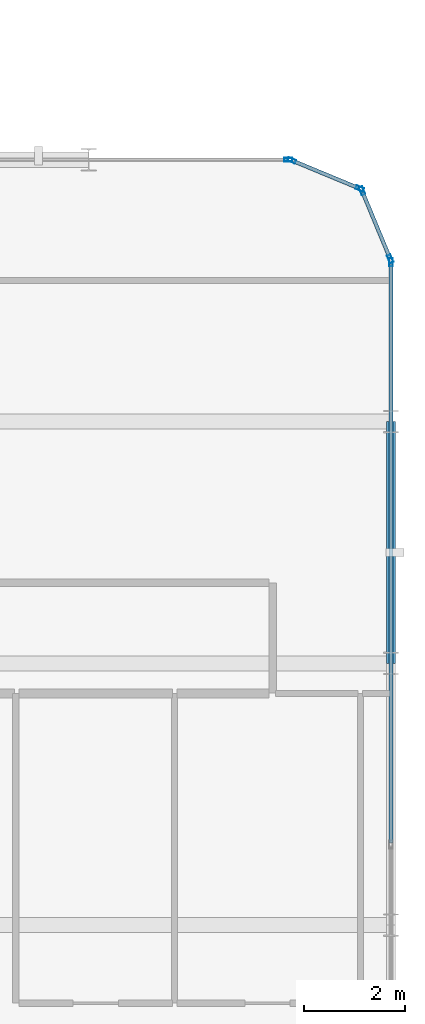
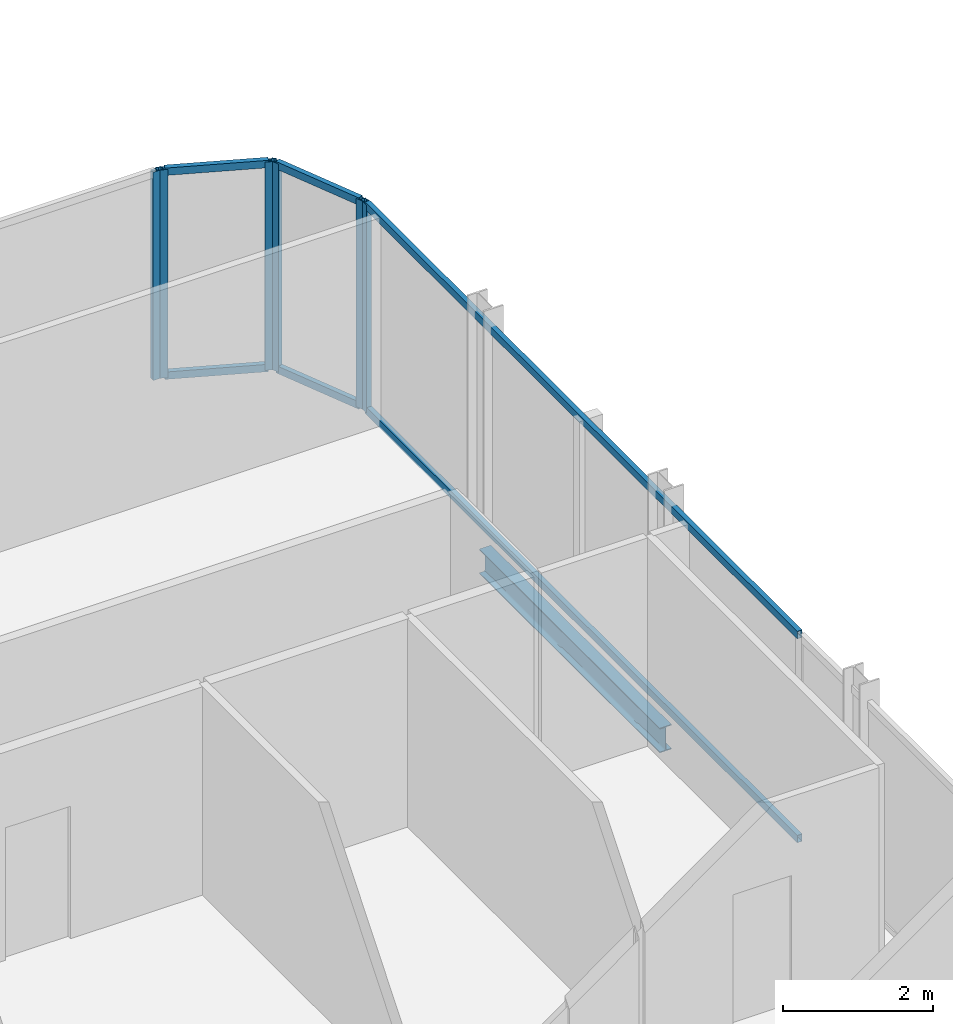
# One storey, part 15 of 29: 12 members, 1 beam, 4 elements without a shape of their own.
"""IFC4 building model written with IfcOpenShell, lengths in metres."""

from ifc_helpers import new_model, si_unit, direction, frame, origin, origin_2d, place, context, subcontext, project, spatial, hollow_rectangle, i_section, extrude, material, layer, layer_set, material_profile, profile_set, type_object, element, aggregate, save


model = new_model("IFC4")

# Units and contexts
model_context = context("Model", 3, precision=1e-05, world=origin(), true_north=direction((0.0, 1.0)))
body_context = subcontext(model_context, "Body", "Model", "MODEL_VIEW")
ifc_project = project(units=[si_unit("LENGTHUNIT", "METRE"), si_unit("AREAUNIT", "SQUARE_METRE"), si_unit("VOLUMEUNIT", "CUBIC_METRE"), si_unit("PLANEANGLEUNIT", "RADIAN"), si_unit("MASSUNIT", "GRAM", prefix="KILO")], contexts=[model_context])

# Site, building, storey
site_placement = place(None, origin())
site = spatial("IfcSite", under=ifc_project, at=site_placement, CompositionType="ELEMENT")
building_placement = place(site_placement, origin())
building = spatial("IfcBuilding", under=site, at=building_placement, Name="Keshet Zoharim Tower", CompositionType="ELEMENT")
storey_placement = place(building_placement, frame((0.0, 0.0, 180.199951171875)))
storey = spatial("IfcBuildingStorey", under=building, at=storey_placement, Name="L44", CompositionType="ELEMENT", Elevation=180.199951171875)

# Beam
ifc_material_1 = material(Name="Steel S355", Category="steel")
ifc_material_profile_1 = material_profile(ifc_material_1, i_section(OverallWidth=0.179931640625, OverallDepth=0.39990234375, WebThickness=0.008544921875, FlangeThickness=0.013427734375, FilletRadius=0.02099609375, at=origin_2d()), Name="IPE400")
ifc_profile_set_1 = profile_set([ifc_material_profile_1], Name="Steel S355")
beam_type = type_object("IfcBeamType", Name="BM-PRI-IP400", PredefinedType="BEAM", material=ifc_profile_set_1)
beam_placement = place(storey_placement, frame((57.0, 17.89990234375, -0.510009765625), z_axis=(0.0, 1.0, 0.0), x_axis=(-1.0, 0.0, 0.0)))
element("IfcBeam", 1, at=beam_placement, inside=storey, type_object=beam_type, Name="L44 Primary Girder Y-015", PredefinedType="BEAM", context=body_context, shape_type="SweptSolid", body=[
    extrude(i_section(OverallWidth=0.179931640625, OverallDepth=0.39990234375, WebThickness=0.008544921875, FlangeThickness=0.013427734375, FilletRadius=0.02099609375, at=origin_2d()), origin(), (0.0, 0.0, 1.0), 4.800048828125),
])

# Curtain wall, members
ifc_material_2 = material(Name="Aluminium 6063-T6", Category="aluminium")
ifc_layer = layer(ifc_material_2, 0.139892578125)
ifc_layer_set = layer_set([ifc_layer], Name="Aluminium 6063-T6")
curtain_wall_type = type_object("IfcCurtainWallType", Name="CW-SYS-05", PredefinedType="NOTDEFINED", material=ifc_layer_set)
curtain_wall_1_placement = place(storey_placement, origin())
curtain_wall_1 = element("IfcCurtainWall", 2, at=curtain_wall_1_placement, inside=storey, type_object=curtain_wall_type, Name="L44 Unitised Curtain Wall 01", PredefinedType="NOTDEFINED")
ifc_material_profile_2 = material_profile(ifc_material_2, hollow_rectangle(XDim=0.074951171875, YDim=0.159912109375, WallThickness=0.00390625, at=origin_2d()), Name="MUL-75x160")
ifc_profile_set_2 = profile_set([ifc_material_profile_2], Name="Aluminium 6063-T6")
member_type_1 = type_object("IfcMemberType", Name="CWM-M15", PredefinedType="MULLION", material=ifc_profile_set_2)
member_1_placement = place(storey_placement, frame((55.0322265625, 27.88671875, 0.0), z_axis=(0.0, 0.0, 1.0), x_axis=(0.382851849847, 0.92380975372, 0.0)))
member_1 = element("IfcMember", 3, at=member_1_placement, type_object=member_type_1, Name="CW-05 mullion 1", PredefinedType="MULLION", context=body_context, shape_type="SweptSolid", body=[
    extrude(hollow_rectangle(XDim=0.074951171875, YDim=0.159912109375, WallThickness=0.00390625, at=origin_2d()), origin(), (0.0, 0.0, 1.0), 3.380126953125),
])
member_2_placement = place(storey_placement, frame((56.381591796875, 27.327392578125, 0.0), z_axis=(0.0, 0.0, 1.0), x_axis=(0.382851849847, 0.92380975372, 0.0)))
member_2 = element("IfcMember", 4, at=member_2_placement, type_object=member_type_1, Name="CW-05 mullion 2", PredefinedType="MULLION", context=body_context, shape_type="SweptSolid", body=[
    extrude(hollow_rectangle(XDim=0.074951171875, YDim=0.159912109375, WallThickness=0.00390625, at=origin_2d()), origin(), (0.0, 0.0, 1.0), 3.380126953125),
])

curtain_wall_2_placement = place(storey_placement, origin())
curtain_wall_2 = element("IfcCurtainWall", 5, at=curtain_wall_2_placement, inside=storey, type_object=curtain_wall_type, Name="L44 Unitised Curtain Wall 02", PredefinedType="NOTDEFINED")
member_3_placement = place(storey_placement, frame((56.427490234375, 27.28173828125, 0.0), z_axis=(0.0, 0.0, 1.0), x_axis=(0.92380975372, 0.382851849847, 0.0)))
member_3 = element("IfcMember", 6, at=member_3_placement, type_object=member_type_1, Name="CW-05 mullion 1", PredefinedType="MULLION", context=body_context, shape_type="SweptSolid", body=[
    extrude(hollow_rectangle(XDim=0.074951171875, YDim=0.159912109375, WallThickness=0.00390625, at=origin_2d()), origin(), (0.0, 0.0, 1.0), 3.380126953125),
])
member_4_placement = place(storey_placement, frame((56.986572265625, 25.932373046875, 0.0), z_axis=(0.0, 0.0, 1.0), x_axis=(0.92380975372, 0.382851849847, 0.0)))
member_4 = element("IfcMember", 7, at=member_4_placement, type_object=member_type_1, Name="CW-05 mullion 2", PredefinedType="MULLION", context=body_context, shape_type="SweptSolid", body=[
    extrude(hollow_rectangle(XDim=0.074951171875, YDim=0.159912109375, WallThickness=0.00390625, at=origin_2d()), origin(), (0.0, 0.0, 1.0), 3.380126953125),
])

# Curtain wall, member
curtain_wall_3_placement = place(storey_placement, origin())
curtain_wall_3 = element("IfcCurtainWall", 8, at=curtain_wall_3_placement, inside=storey, type_object=curtain_wall_type, Name="L44 Unitised Curtain Wall 03", PredefinedType="NOTDEFINED")
member_5_placement = place(storey_placement, frame((57.0, 25.864990234375, 0.0), z_axis=(0.0, 0.0, 1.0), x_axis=(1.0, 0.0, 0.0)))
member_5 = element("IfcMember", 9, at=member_5_placement, type_object=member_type_1, Name="CW-05 mullion 1", PredefinedType="MULLION", context=body_context, shape_type="SweptSolid", body=[
    extrude(hollow_rectangle(XDim=0.074951171875, YDim=0.159912109375, WallThickness=0.00390625, at=origin_2d()), origin(), (0.0, 0.0, 1.0), 3.380126953125),
])

curtain_wall_4_placement = place(storey_placement, origin())
curtain_wall_4 = element("IfcCurtainWall", 10, at=curtain_wall_4_placement, inside=storey, type_object=curtain_wall_type, Name="L44 Unitised Curtain Wall 20 Part 2", PredefinedType="NOTDEFINED")
member_6_placement = place(storey_placement, frame((54.965087890625, 27.89990234375, 0.0), z_axis=(0.0, 0.0, 1.0), x_axis=(0.0, 1.0, 0.0)))
member_6 = element("IfcMember", 11, at=member_6_placement, type_object=member_type_1, Name="CW-05 mullion 2", PredefinedType="MULLION", context=body_context, shape_type="SweptSolid", body=[
    extrude(hollow_rectangle(XDim=0.074951171875, YDim=0.159912109375, WallThickness=0.00390625, at=origin_2d()), origin(), (0.0, 0.0, 1.0), 3.380126953125),
])
aggregate(curtain_wall_4, [member_6])

# Member
ifc_material_profile_3 = material_profile(ifc_material_2, hollow_rectangle(XDim=0.074951171875, YDim=0.1201171875, WallThickness=0.00390625, at=origin_2d()), Name="TRN-75x120")
ifc_profile_set_3 = profile_set([ifc_material_profile_3], Name="Aluminium 6063-T6")
member_type_2 = type_object("IfcMemberType", Name="CWT-T12", PredefinedType="USERDEFINED", material=ifc_profile_set_3)
member_7_placement = place(storey_placement, frame((55.064697265625, 27.873291015625, 0.03515625), z_axis=(0.92379209995, -0.382894445076, 0.0), x_axis=(0.382894445076, 0.92379209995, 0.0)))
member_7 = element("IfcMember", 12, at=member_7_placement, type_object=member_type_2, Name="CW-05 transom 1.1", ObjectType="TRANSOM", PredefinedType="USERDEFINED", context=body_context, shape_type="SweptSolid", body=[
    extrude(hollow_rectangle(XDim=0.074951171875, YDim=0.1201171875, WallThickness=0.00390625, at=origin_2d()), origin(), (0.0, 0.0, 1.0), 1.390625),
])

member_8_placement = place(storey_placement, frame((55.064697265625, 27.873291015625, 3.344970703125), z_axis=(0.92379209995, -0.382894445076, 0.0), x_axis=(0.382894445076, 0.92379209995, 0.0)))
member_8 = element("IfcMember", 13, at=member_8_placement, type_object=member_type_2, Name="CW-05 transom 1.2", ObjectType="TRANSOM", PredefinedType="USERDEFINED", context=body_context, shape_type="SweptSolid", body=[
    extrude(hollow_rectangle(XDim=0.074951171875, YDim=0.1201171875, WallThickness=0.00390625, at=origin_2d()), origin(), (0.0, 0.0, 1.0), 1.390625),
])

aggregate(curtain_wall_1, [member_1, member_2, member_7, member_8])

member_9_placement = place(storey_placement, frame((56.44091796875, 27.249267578125, 0.03515625), z_axis=(0.382744609247, -0.923854189844, 0.0), x_axis=(0.923854189844, 0.382744609247, 0.0)))
member_9 = element("IfcMember", 14, at=member_9_placement, type_object=member_type_2, Name="CW-05 transom 1.1", ObjectType="TRANSOM", PredefinedType="USERDEFINED", context=body_context, shape_type="SweptSolid", body=[
    extrude(hollow_rectangle(XDim=0.074951171875, YDim=0.1201171875, WallThickness=0.00390625, at=origin_2d()), origin(), (0.0, 0.0, 1.0), 1.390625),
])

member_10_placement = place(storey_placement, frame((56.44091796875, 27.249267578125, 3.344970703125), z_axis=(0.382744609247, -0.923854189844, 0.0), x_axis=(0.923854189844, 0.382744609247, 0.0)))
member_10 = element("IfcMember", 15, at=member_10_placement, type_object=member_type_2, Name="CW-05 transom 1.2", ObjectType="TRANSOM", PredefinedType="USERDEFINED", context=body_context, shape_type="SweptSolid", body=[
    extrude(hollow_rectangle(XDim=0.074951171875, YDim=0.1201171875, WallThickness=0.00390625, at=origin_2d()), origin(), (0.0, 0.0, 1.0), 1.390625),
])

aggregate(curtain_wall_2, [member_3, member_4, member_9, member_10])

member_11_placement = place(storey_placement, frame((57.0, 25.830078125, 0.03515625), z_axis=(0.0, -1.0, 0.0), x_axis=(1.0, 0.0, 0.0)))
member_11 = element("IfcMember", 16, at=member_11_placement, type_object=member_type_2, Name="CW-05 transom 1.1", ObjectType="TRANSOM", PredefinedType="USERDEFINED", context=body_context, shape_type="SweptSolid", body=[
    extrude(hollow_rectangle(XDim=0.074951171875, YDim=0.1201171875, WallThickness=0.00390625, at=origin_2d()), origin(), (0.0, 0.0, 1.0), 11.4951171875),
])

member_12_placement = place(storey_placement, frame((57.0, 25.830078125, 3.344970703125), z_axis=(0.0, -1.0, 0.0), x_axis=(1.0, 0.0, 0.0)))
member_12 = element("IfcMember", 17, at=member_12_placement, type_object=member_type_2, Name="CW-05 transom 1.2", ObjectType="TRANSOM", PredefinedType="USERDEFINED", context=body_context, shape_type="SweptSolid", body=[
    extrude(hollow_rectangle(XDim=0.074951171875, YDim=0.1201171875, WallThickness=0.00390625, at=origin_2d()), origin(), (0.0, 0.0, 1.0), 11.4951171875),
])

aggregate(curtain_wall_3, [member_5, member_11, member_12])

save(model, "model.ifc")
